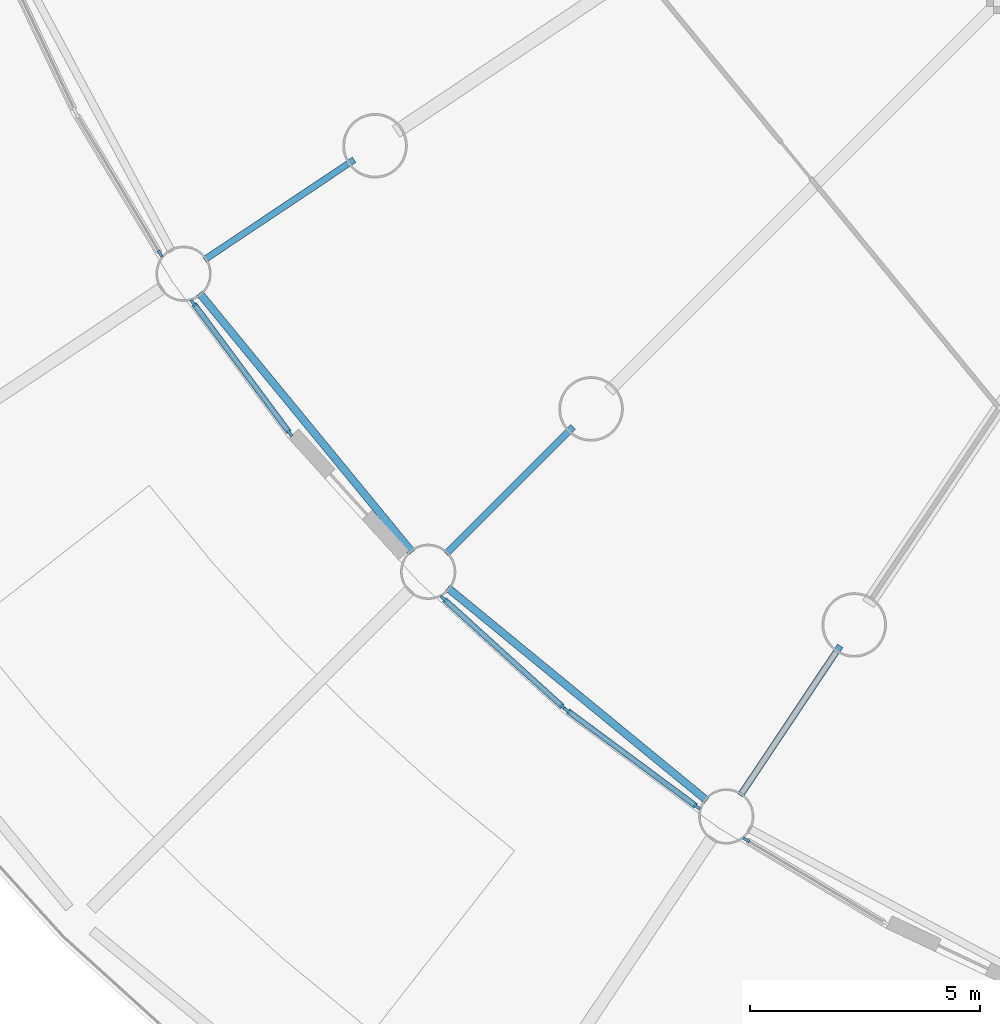
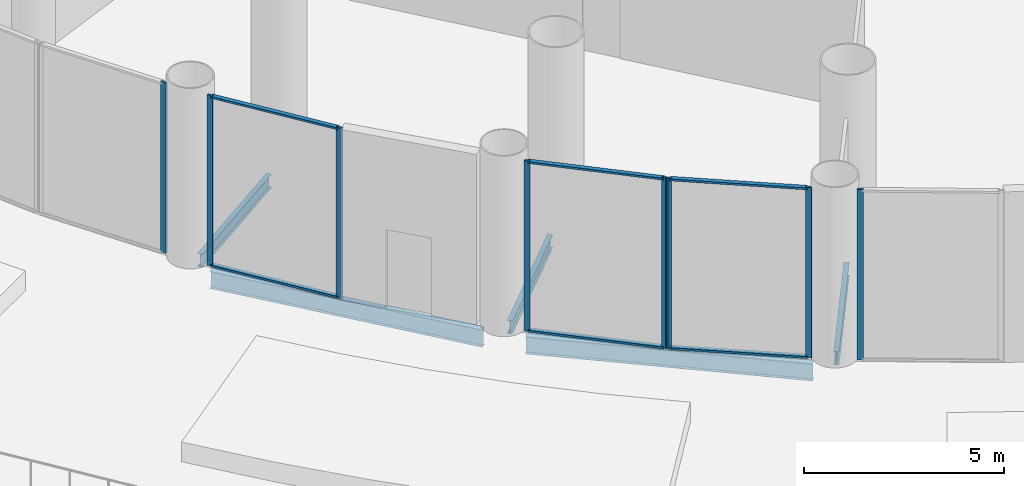
# One storey, part 2 of 36: 14 members, 5 beams, 5 elements without a shape of their own.
"""IFC4 building model written with IfcOpenShell, lengths in metres."""

from ifc_helpers import new_model, si_unit, direction, frame, origin, origin_2d, place, context, subcontext, project, spatial, rectangle, i_section, extrude, material, material_profile, profile_set, type_object, element, aggregate, save


model = new_model("IFC4")

# Units and contexts
model_context = context("Model", 3, precision=1e-05, world=origin(), true_north=direction((0.0, 1.0)))
body_context = subcontext(model_context, "Body", "Model", "MODEL_VIEW")
ifc_project = project(units=[si_unit("LENGTHUNIT", "METRE"), si_unit("AREAUNIT", "SQUARE_METRE"), si_unit("VOLUMEUNIT", "CUBIC_METRE"), si_unit("PLANEANGLEUNIT", "RADIAN"), si_unit("MASSUNIT", "GRAM", prefix="KILO")], contexts=[model_context])

# Site, building, storey
site_placement = place(None, origin())
site = spatial("IfcSite", under=ifc_project, at=site_placement, CompositionType="ELEMENT")
building_placement = place(site_placement, origin())
building = spatial("IfcBuilding", under=site, at=building_placement, Name="Corvane Civic Tower", CompositionType="ELEMENT")
storey_placement = place(building_placement, frame((0.0, 0.0, 6.0)))
storey = spatial("IfcBuildingStorey", under=building, at=storey_placement, Name="L01", CompositionType="ELEMENT", Elevation=6.0)

# Beams
ifc_material_1 = material(Name="Steel ASTM A992 Gr 50", Category="steel")
ifc_material_profile_1 = material_profile(ifc_material_1, i_section(OverallWidth=0.165771484375, OverallDepth=0.5283203125, WebThickness=0.009765625, FlangeThickness=0.013671875, at=origin_2d()), Name="W21X50")
ifc_profile_set_1 = profile_set([ifc_material_profile_1], Name="Steel ASTM A992 Gr 50")
beam_type_1 = type_object("IfcBeamType", Name="EDGE BEAM W21X50", PredefinedType="BEAM", material=ifc_profile_set_1)
for number, where, z_axis, x_axis, name in (
    (1, (-24.14794921875, -35.15478515625, -0.564208984375), (-0.773007924807, 0.634396365205, 0.0), (-0.634396365205, -0.773007924807, 0.0), "BM-L01-E20"),
    (2, (-30.542236328125, -29.768310546875, -0.564208984375), (-0.634396365205, 0.773007924807, 0.0), (-0.773007924807, -0.634396365205, 0.0), "BM-L01-E21"),
):
    element("IfcBeam", number, at=place(storey_placement, frame(where, z_axis=z_axis, x_axis=x_axis)), inside=storey, type_object=beam_type_1, Name=name, PredefinedType="BEAM", context=body_context, shape_type="SweptSolid", body=[
        extrude(i_section(OverallWidth=0.165771484375, OverallDepth=0.5283203125, WebThickness=0.009765625, FlangeThickness=0.013671875, at=origin_2d()), origin(), (0.0, 0.0, 1.0), 7.270751953125),
    ])
ifc_material_2 = material(Name="Steel ASTM A992 Gr 50", Category="steel")
ifc_material_profile_2 = material_profile(ifc_material_2, i_section(OverallWidth=0.140380859375, OverallDepth=0.40380859375, WebThickness=0.007080078125, FlangeThickness=0.01123046875, at=origin_2d()), Name="W16X31")
ifc_profile_set_2 = profile_set([ifc_material_profile_2], Name="Steel ASTM A992 Gr 50")
beam_type_2 = type_object("IfcBeamType", Name="FLOOR GIRDER W16X31", PredefinedType="BEAM", material=ifc_profile_set_2)
for number, where, z_axis, x_axis, name in (
    (3, (-21.25048828125, -31.8037109375, -0.501953125), (-0.555581110199, -0.831462344301, 0.0), (0.831462344301, -0.555581110199, 0.0), "BM-L01-G20b"),
    (4, (-27.046875, -27.046875, -0.501953125), (-0.707106781187, -0.707106781187, 0.0), (0.707106781187, -0.707106781187, 0.0), "BM-L01-G21b"),
    (5, (-31.8037109375, -21.25048828125, -0.501953125), (-0.831462344301, -0.555581110199, 0.0), (0.555581110199, -0.831462344301, 0.0), "BM-L01-G22b"),
):
    element("IfcBeam", number, at=place(storey_placement, frame(where, z_axis=z_axis, x_axis=x_axis)), inside=storey, type_object=beam_type_2, Name=name, PredefinedType="BEAM", context=body_context, shape_type="SweptSolid", body=[
        extrude(i_section(OverallWidth=0.140380859375, OverallDepth=0.40380859375, WebThickness=0.007080078125, FlangeThickness=0.01123046875, at=origin_2d()), origin(), (0.0, 0.0, 1.0), 3.89990234375),
    ])

# Curtain wall, member
ifc_material_3 = material(Name="Aluminium and glass", Category="aluminium")
curtain_wall_type = type_object("IfcCurtainWallType", Name="PODIUM-CW-P-RUN", PredefinedType="NOTDEFINED", material=ifc_material_3)
curtain_wall_1_placement = place(storey_placement, origin())
curtain_wall_1 = element("IfcCurtainWall", 6, at=curtain_wall_1_placement, inside=storey, type_object=curtain_wall_type, Name="PODI run L01-drum-19B", PredefinedType="NOTDEFINED")
ifc_material_4 = material(Name="Anodised aluminium bronze", Category="aluminium")
ifc_material_profile_3 = material_profile(ifc_material_4, rectangle(XDim=0.06005859375, YDim=0.159912109375, at=origin_2d()), Name="AL 60x160")
ifc_profile_set_3 = profile_set([ifc_material_profile_3], Name="Anodised aluminium bronze")
member_type_1 = type_object("IfcMemberType", Name="PODIUM-CWP-MULLION-60x160", PredefinedType="MULLION", material=ifc_profile_set_3)
member_1_placement = place(storey_placement, frame((-23.28564453125, -36.010009765625, 0.0), z_axis=(0.0, 0.0, 1.0), x_axis=(-0.514117759857, -0.857719609779, 0.0)))
member_1 = element("IfcMember", 7, at=member_1_placement, type_object=member_type_1, Name="CW-P mullion 2", PredefinedType="MULLION", context=body_context, shape_type="SweptSolid", body=[
    extrude(rectangle(XDim=0.06005859375, YDim=0.159912109375, at=origin_2d()), origin(), (0.0, 0.0, 1.0), 5.199951171875),
])
aggregate(curtain_wall_1, [member_1])

# Curtain wall, members
curtain_wall_2_placement = place(storey_placement, origin())
curtain_wall_2 = element("IfcCurtainWall", 8, at=curtain_wall_2_placement, inside=storey, type_object=curtain_wall_type, Name="PODI run L01-drum-20A", PredefinedType="NOTDEFINED")
member_2_placement = place(storey_placement, frame((-24.35791015625, -35.293701171875, 0.0), z_axis=(0.0, 0.0, 1.0), x_axis=(-0.595705104665, -0.803203229747, 0.0)))
member_2 = element("IfcMember", 9, at=member_2_placement, type_object=member_type_1, Name="CW-P mullion 1", PredefinedType="MULLION", context=body_context, shape_type="SweptSolid", body=[
    extrude(rectangle(XDim=0.06005859375, YDim=0.159912109375, at=origin_2d()), origin(), (0.0, 0.0, 1.0), 5.199951171875),
])
member_3_placement = place(storey_placement, frame((-27.18505859375, -33.197021484375, 0.0), z_axis=(0.0, 0.0, 1.0), x_axis=(-0.595705104665, -0.803203229747, 0.0)))
member_3 = element("IfcMember", 10, at=member_3_placement, type_object=member_type_1, Name="CW-P mullion 2", PredefinedType="MULLION", context=body_context, shape_type="SweptSolid", body=[
    extrude(rectangle(XDim=0.06005859375, YDim=0.159912109375, at=origin_2d()), origin(), (0.0, 0.0, 1.0), 5.199951171875),
])

curtain_wall_3_placement = place(storey_placement, origin())
curtain_wall_3 = element("IfcCurtainWall", 11, at=curtain_wall_3_placement, inside=storey, type_object=curtain_wall_type, Name="PODI run L01-drum-20B", PredefinedType="NOTDEFINED")
member_4_placement = place(storey_placement, frame((-27.25537109375, -33.13916015625, 0.0), z_axis=(0.0, 0.0, 1.0), x_axis=(-0.671576457952, -0.740935261089, 0.0)))
member_4 = element("IfcMember", 12, at=member_4_placement, type_object=member_type_1, Name="CW-P mullion 1", PredefinedType="MULLION", context=body_context, shape_type="SweptSolid", body=[
    extrude(rectangle(XDim=0.06005859375, YDim=0.159912109375, at=origin_2d()), origin(), (0.0, 0.0, 1.0), 5.199951171875),
])
member_5_placement = place(storey_placement, frame((-29.863525390625, -30.775390625, 0.0), z_axis=(0.0, 0.0, 1.0), x_axis=(-0.671576457952, -0.740935261089, 0.0)))
member_5 = element("IfcMember", 13, at=member_5_placement, type_object=member_type_1, Name="CW-P mullion 2", PredefinedType="MULLION", context=body_context, shape_type="SweptSolid", body=[
    extrude(rectangle(XDim=0.06005859375, YDim=0.159912109375, at=origin_2d()), origin(), (0.0, 0.0, 1.0), 5.199951171875),
])

curtain_wall_4_placement = place(storey_placement, origin())
curtain_wall_4 = element("IfcCurtainWall", 14, at=curtain_wall_4_placement, inside=storey, type_object=curtain_wall_type, Name="PODI run L01-drum-21B", PredefinedType="NOTDEFINED")
member_6_placement = place(storey_placement, frame((-33.197021484375, -27.18505859375, 0.0), z_axis=(0.0, 0.0, 1.0), x_axis=(-0.803203229747, -0.595705104665, 0.0)))
member_6 = element("IfcMember", 15, at=member_6_placement, type_object=member_type_1, Name="CW-P mullion 1", PredefinedType="MULLION", context=body_context, shape_type="SweptSolid", body=[
    extrude(rectangle(XDim=0.06005859375, YDim=0.159912109375, at=origin_2d()), origin(), (0.0, 0.0, 1.0), 5.199951171875),
])
member_7_placement = place(storey_placement, frame((-35.293701171875, -24.35791015625, 0.0), z_axis=(0.0, 0.0, 1.0), x_axis=(-0.803203229747, -0.595705104665, 0.0)))
member_7 = element("IfcMember", 16, at=member_7_placement, type_object=member_type_1, Name="CW-P mullion 2", PredefinedType="MULLION", context=body_context, shape_type="SweptSolid", body=[
    extrude(rectangle(XDim=0.06005859375, YDim=0.159912109375, at=origin_2d()), origin(), (0.0, 0.0, 1.0), 5.199951171875),
])

# Curtain wall, member
curtain_wall_5_placement = place(storey_placement, origin())
curtain_wall_5 = element("IfcCurtainWall", 17, at=curtain_wall_5_placement, inside=storey, type_object=curtain_wall_type, Name="PODI run L01-drum-22A", PredefinedType="NOTDEFINED")
member_8_placement = place(storey_placement, frame((-36.010009765625, -23.28564453125, 0.0), z_axis=(0.0, 0.0, 1.0), x_axis=(-0.857719609779, -0.514117759857, 0.0)))
member_8 = element("IfcMember", 18, at=member_8_placement, type_object=member_type_1, Name="CW-P mullion 1", PredefinedType="MULLION", context=body_context, shape_type="SweptSolid", body=[
    extrude(rectangle(XDim=0.06005859375, YDim=0.159912109375, at=origin_2d()), origin(), (0.0, 0.0, 1.0), 5.199951171875),
])
aggregate(curtain_wall_5, [member_8])

# Member
ifc_material_5 = material(Name="Anodised aluminium bronze", Category="aluminium")
ifc_material_profile_4 = material_profile(ifc_material_5, rectangle(XDim=0.1201171875, YDim=0.06005859375, at=origin_2d()), Name="AL 120x60")
ifc_profile_set_4 = profile_set([ifc_material_profile_4], Name="Anodised aluminium bronze")
member_type_2 = type_object("IfcMemberType", Name="PODIUM-CWP-TRANSOM-60x120", PredefinedType="USERDEFINED", material=ifc_profile_set_4)
member_9_placement = place(storey_placement, frame((-24.382080078125, -35.27587890625, 0.030029296875), z_axis=(-0.803189518598, 0.595723591285, 0.0), x_axis=(-0.595723591285, -0.803189518598, 0.0)))
member_9 = element("IfcMember", 19, at=member_9_placement, type_object=member_type_2, Name="CW-P transom 1.1", ObjectType="TRANSOM", PredefinedType="USERDEFINED", context=body_context, shape_type="SweptSolid", body=[
    extrude(rectangle(XDim=0.1201171875, YDim=0.06005859375, at=origin_2d()), origin(), (0.0, 0.0, 1.0), 3.459716796875),
])

member_10_placement = place(storey_placement, frame((-24.382080078125, -35.27587890625, 5.169921875), z_axis=(-0.803189518598, 0.595723591285, 0.0), x_axis=(-0.595723591285, -0.803189518598, 0.0)))
member_10 = element("IfcMember", 20, at=member_10_placement, type_object=member_type_2, Name="CW-P transom 1.2", ObjectType="TRANSOM", PredefinedType="USERDEFINED", context=body_context, shape_type="SweptSolid", body=[
    extrude(rectangle(XDim=0.1201171875, YDim=0.06005859375, at=origin_2d()), origin(), (0.0, 0.0, 1.0), 3.459716796875),
])

aggregate(curtain_wall_2, [member_2, member_3, member_9, member_10])

member_11_placement = place(storey_placement, frame((-27.277587890625, -33.119140625, 0.030029296875), z_axis=(-0.740935382865, 0.671576323599, 0.0), x_axis=(-0.671576323599, -0.740935382865, 0.0)))
member_11 = element("IfcMember", 21, at=member_11_placement, type_object=member_type_2, Name="CW-P transom 1.1", ObjectType="TRANSOM", PredefinedType="USERDEFINED", context=body_context, shape_type="SweptSolid", body=[
    extrude(rectangle(XDim=0.1201171875, YDim=0.06005859375, at=origin_2d()), origin(), (0.0, 0.0, 1.0), 3.460205078125),
])

member_12_placement = place(storey_placement, frame((-27.277587890625, -33.119140625, 5.169921875), z_axis=(-0.740935382865, 0.671576323599, 0.0), x_axis=(-0.671576323599, -0.740935382865, 0.0)))
member_12 = element("IfcMember", 22, at=member_12_placement, type_object=member_type_2, Name="CW-P transom 1.2", ObjectType="TRANSOM", PredefinedType="USERDEFINED", context=body_context, shape_type="SweptSolid", body=[
    extrude(rectangle(XDim=0.1201171875, YDim=0.06005859375, at=origin_2d()), origin(), (0.0, 0.0, 1.0), 3.460205078125),
])

aggregate(curtain_wall_3, [member_4, member_5, member_11, member_12])

member_13_placement = place(storey_placement, frame((-33.21484375, -27.160888671875, 0.030029296875), z_axis=(-0.595723591285, 0.803189518598, 0.0), x_axis=(-0.803189518598, -0.595723591285, 0.0)))
member_13 = element("IfcMember", 23, at=member_13_placement, type_object=member_type_2, Name="CW-P transom 1.1", ObjectType="TRANSOM", PredefinedType="USERDEFINED", context=body_context, shape_type="SweptSolid", body=[
    extrude(rectangle(XDim=0.1201171875, YDim=0.06005859375, at=origin_2d()), origin(), (0.0, 0.0, 1.0), 3.459716796875),
])

member_14_placement = place(storey_placement, frame((-33.21484375, -27.160888671875, 5.169921875), z_axis=(-0.595723591285, 0.803189518598, 0.0), x_axis=(-0.803189518598, -0.595723591285, 0.0)))
member_14 = element("IfcMember", 24, at=member_14_placement, type_object=member_type_2, Name="CW-P transom 1.2", ObjectType="TRANSOM", PredefinedType="USERDEFINED", context=body_context, shape_type="SweptSolid", body=[
    extrude(rectangle(XDim=0.1201171875, YDim=0.06005859375, at=origin_2d()), origin(), (0.0, 0.0, 1.0), 3.459716796875),
])

aggregate(curtain_wall_4, [member_6, member_7, member_13, member_14])

save(model, "model.ifc")
